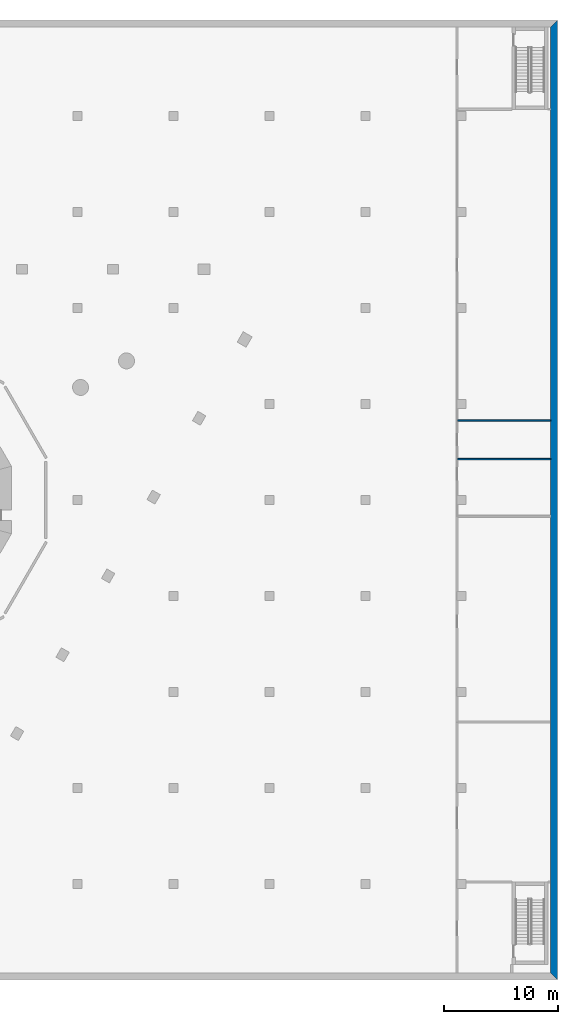
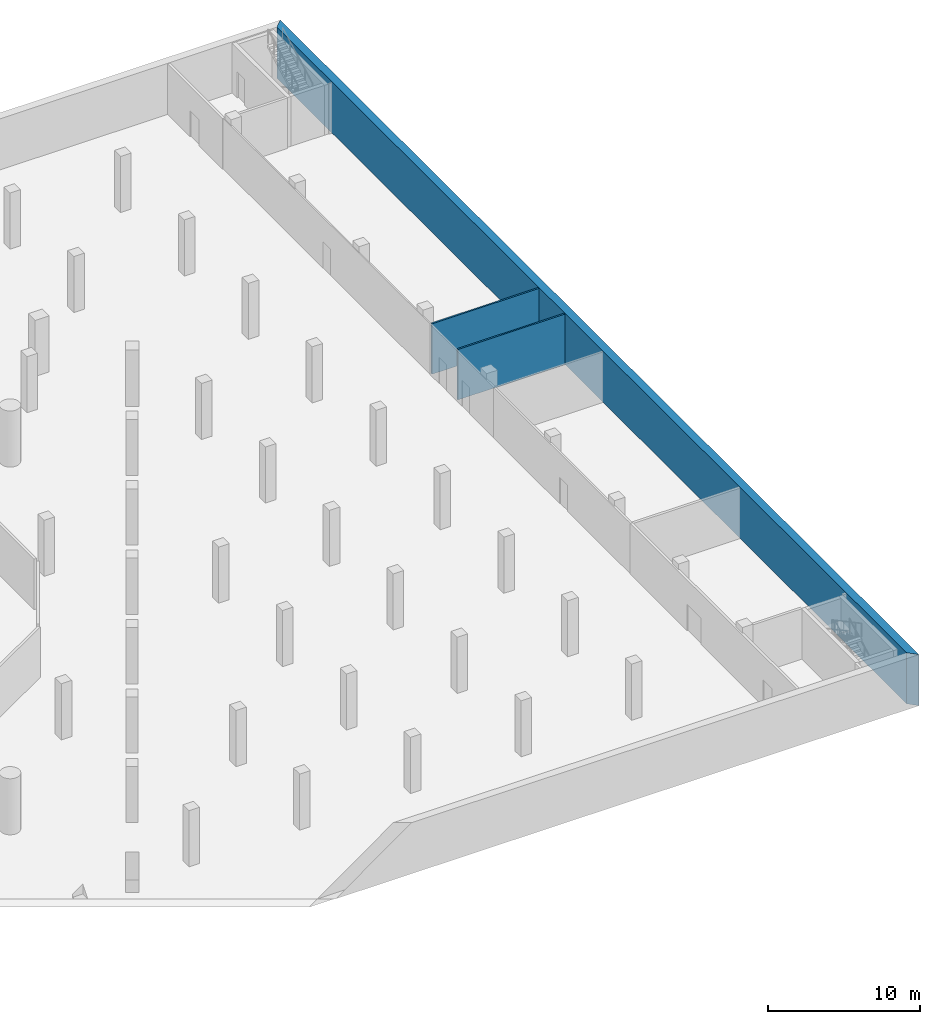
# One storey, part 13 of 21: 3 walls.
"""IFC4 building model written with IfcOpenShell, lengths in metres."""

from ifc_helpers import new_model, si_unit, direction, frame, frame_2d, origin, place, context, subcontext, project, spatial, polyline, rectangle, outline, extrude, material, layer, layer_set, type_object, element, save


model = new_model("IFC4")

# Units and contexts
model_context = context("Model", 3, precision=1e-05, world=origin(), true_north=direction((0.0, 1.0)))
body_context = subcontext(model_context, "Body", "Model", "MODEL_VIEW")
ifc_project = project(units=[si_unit("LENGTHUNIT", "METRE"), si_unit("AREAUNIT", "SQUARE_METRE"), si_unit("VOLUMEUNIT", "CUBIC_METRE"), si_unit("PLANEANGLEUNIT", "RADIAN"), si_unit("MASSUNIT", "GRAM", prefix="KILO")], contexts=[model_context])

# Site, building, storey
site_placement = place(None, origin())
site = spatial("IfcSite", under=ifc_project, at=site_placement, CompositionType="ELEMENT")
building_placement = place(site_placement, origin())
building = spatial("IfcBuilding", under=site, at=building_placement, Name="Trine Commons Tower", CompositionType="ELEMENT")
storey_placement = place(building_placement, frame((0.0, 0.0, -4.5)))
storey = spatial("IfcBuildingStorey", under=building, at=storey_placement, Name="B1", CompositionType="ELEMENT", Elevation=-4.5)

# Walls
ifc_material_1 = material(Name="Concrete C40/50", Category="concrete")
ifc_layer_1 = layer(ifc_material_1, 0.60009765625)
ifc_layer_set_1 = layer_set([ifc_layer_1], Name="Concrete C40/50")
wall_type_1 = type_object("IfcWallType", Name="RC retaining wall 600 mm, C40/50", PredefinedType="SOLIDWALL", material=ifc_layer_set_1)
wall_placement = place(storey_placement, frame((138.5, 20.800048828125, 0.0), z_axis=(0.0, 0.0, 1.0), x_axis=(0.0, 1.0, 0.0)))
element("IfcWall", 1, at=wall_placement, inside=storey, type_object=wall_type_1, Name="Retaining wall B1 E", PredefinedType="SOLIDWALL", context=body_context, shape_type="SweptSolid", body=[
    extrude(outline(polyline([(-0.300048828125, -0.300048828125), (83.699951171875, -0.300048828125), (83.10009765625, 0.300048828125), (0.300048828125, 0.300048828125), (-0.300048828125, -0.300048828125)])), origin(), (0.0, 0.0, 1.0), 4.10009765625),
])
ifc_material_2 = material(Name="Plasterboard on steel stud", Category="steel")
ifc_layer_2 = layer(ifc_material_2, 0.125)
ifc_layer_set_2 = layer_set([ifc_layer_2], Name="Plasterboard on steel stud")
wall_type_2 = type_object("IfcWallType", Name="Wet wall 125 mm stud, not rated", PredefinedType="PARTITIONING", material=ifc_layer_set_2)
for number, where, z_axis, x_axis, name in (
    (2, (130.0625, 66.070068359375, 0.0), (0.0, 0.0, 1.0), (1.0, 0.0, 0.0), "Partition B1029"),
    (3, (130.0625, 69.469970703125, 0.0), (0.0, 0.0, 1.0), (1.0, 0.0, 0.0), "Partition B1031"),
):
    element("IfcWall", number, at=place(storey_placement, frame(where, z_axis=z_axis, x_axis=x_axis)), inside=storey, type_object=wall_type_2, Name=name, PredefinedType="PARTITIONING", context=body_context, shape_type="SweptSolid", body=[
        extrude(rectangle(XDim=8.137451171875, YDim=0.125, at=frame_2d((4.06884765625, 0.0))), origin(), (0.0, 0.0, 1.0), 4.050048828125),
    ])

save(model, "model.ifc")
